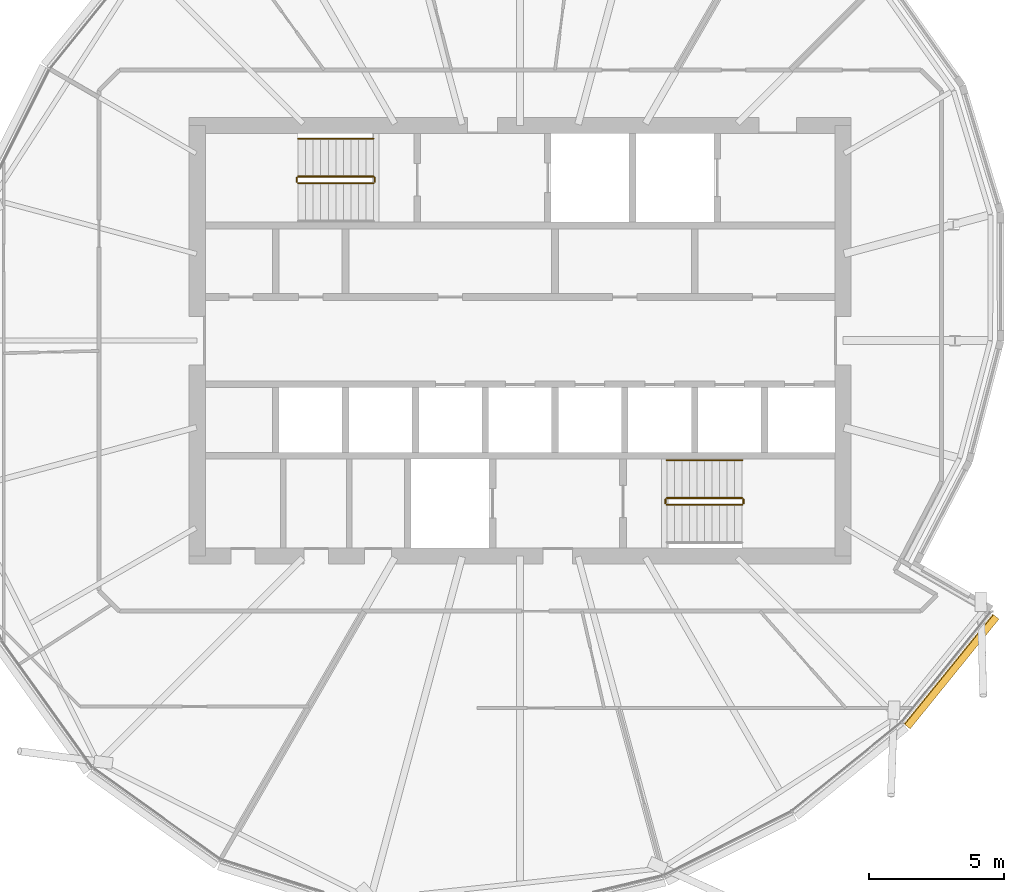
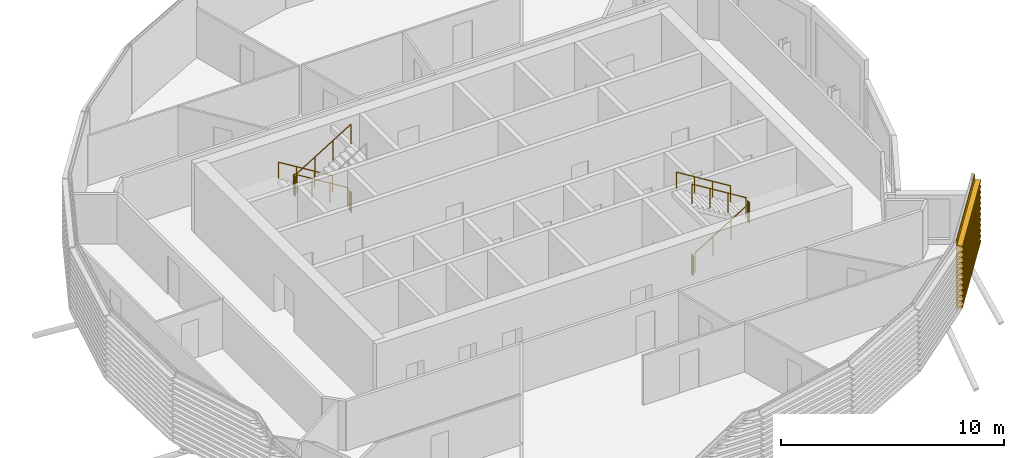
# One storey, part 36 of 37: 10 railings, 1 covering.
"""IFC4 building model written with IfcOpenShell, lengths in metres."""

from ifc_helpers import new_model, si_unit, direction, frame, origin, origin_2d, place, context, subcontext, project, spatial, polyline, circle, outline, extrude, material, material_profile, profile_set, type_object, element, save


model = new_model("IFC4")

# Units and contexts
model_context = context("Model", 3, precision=1e-05, world=origin(), true_north=direction((0.0, 1.0)))
body_context = subcontext(model_context, "Body", "Model", "MODEL_VIEW")
ifc_project = project(units=[si_unit("LENGTHUNIT", "METRE"), si_unit("AREAUNIT", "SQUARE_METRE"), si_unit("VOLUMEUNIT", "CUBIC_METRE"), si_unit("PLANEANGLEUNIT", "RADIAN"), si_unit("MASSUNIT", "GRAM", prefix="KILO")], contexts=[model_context])

# Site, building, storey
site_placement = place(None, origin())
site = spatial("IfcSite", under=ifc_project, at=site_placement, CompositionType="ELEMENT")
building_placement = place(site_placement, origin())
building = spatial("IfcBuilding", under=site, at=building_placement, Name="Rimbun Link Towers", CompositionType="ELEMENT")
storey_placement = place(building_placement, frame((0.0, 0.0, 166.5)))
storey = spatial("IfcBuildingStorey", under=building, at=storey_placement, Name="L40", CompositionType="ELEMENT", Elevation=166.5)

# Railings
ifc_material_1 = material(Name="Stainless steel grade 316", Category="steel")
railing_type_1 = type_object("IfcRailingType", Name="Stair guard", PredefinedType="GUARDRAIL", material=ifc_material_1)
railing_1_placement = place(storey_placement, frame((26.300048828125, 6.10009765625, 0.172607421875)))
element("IfcRailing", 1, at=railing_1_placement, inside=storey, type_object=railing_type_1, Name="L40 ST3 stair guard 1", PredefinedType="GUARDRAIL", context=body_context, shape_type="SweptSolid", body=[
    extrude(circle(Radius=0.02392578125, at=origin_2d()), frame((0.0, 0.0, 1.076171875), z_axis=(-0.851089632645, 0.0, 0.525020415988), x_axis=(0.0, -1.0, 0.0)), (0.0, 0.0, 1.0), 3.2900390625),
    extrude(circle(Radius=0.02099609375, at=origin_2d()), origin(), (0.0, 0.0, 1.0), 1.052001953125),
    extrude(circle(Radius=0.02099609375, at=origin_2d()), frame((-0.933349609375, 0.0, 0.57568359375)), (0.0, 0.0, 1.0), 1.052001953125),
    extrude(circle(Radius=0.02099609375, at=origin_2d()), frame((-1.86669921875, 0.0, 1.151611328125)), (0.0, 0.0, 1.0), 1.052001953125),
    extrude(circle(Radius=0.02099609375, at=origin_2d()), frame((-2.800048828125, 0.0, 1.727294921875)), (0.0, 0.0, 1.0), 1.052001953125),
])
railing_2_placement = place(storey_placement, frame((23.449951171875, 6.050048828125, 1.89990234375)))
element("IfcRailing", 2, at=railing_2_placement, inside=storey, type_object=railing_type_1, Name="L40 ST3 stair guard 2", PredefinedType="GUARDRAIL", context=body_context, shape_type="SweptSolid", body=[
    extrude(circle(Radius=0.02392578125, at=origin_2d()), frame((0.0, 0.0, 1.076171875), z_axis=(0.0, -1.0, 0.0), x_axis=(1.0, 0.0, 0.0)), (0.0, 0.0, 1.0), 0.150146484375),
    extrude(circle(Radius=0.02099609375, at=origin_2d()), origin(), (0.0, 0.0, 1.0), 1.052001953125),
    extrude(circle(Radius=0.02099609375, at=origin_2d()), frame((0.0, -0.150146484375, 0.0)), (0.0, 0.0, 1.0), 1.052001953125),
])
railing_3_placement = place(storey_placement, frame((23.5, 5.85009765625, 2.07275390625)))
element("IfcRailing", 3, at=railing_3_placement, inside=storey, type_object=railing_type_1, Name="L40 ST3 stair guard 3", PredefinedType="GUARDRAIL", context=body_context, shape_type="SweptSolid", body=[
    extrude(circle(Radius=0.02392578125, at=origin_2d()), frame((0.0, 0.0, 1.076171875), z_axis=(0.851089632645, 0.0, 0.525020415988), x_axis=(0.0, 1.0, 0.0)), (0.0, 0.0, 1.0), 3.2900390625),
    extrude(circle(Radius=0.02099609375, at=origin_2d()), origin(), (0.0, 0.0, 1.0), 1.052001953125),
    extrude(circle(Radius=0.02099609375, at=origin_2d()), frame((0.933349609375, 0.0, 0.57568359375)), (0.0, 0.0, 1.0), 1.052001953125),
    extrude(circle(Radius=0.02099609375, at=origin_2d()), frame((1.86669921875, 0.0, 1.151611328125)), (0.0, 0.0, 1.0), 1.052001953125),
    extrude(circle(Radius=0.02099609375, at=origin_2d()), frame((2.800048828125, 0.0, 1.727294921875)), (0.0, 0.0, 1.0), 1.052001953125),
])
railing_4_placement = place(storey_placement, frame((26.35009765625, 6.050048828125, 0.0)))
element("IfcRailing", 4, at=railing_4_placement, inside=storey, type_object=railing_type_1, Name="L40 ST3 stair guard 4", PredefinedType="GUARDRAIL", context=body_context, shape_type="SweptSolid", body=[
    extrude(circle(Radius=0.02392578125, at=origin_2d()), frame((0.0, 0.0, 1.076171875), z_axis=(0.0, -1.0, 0.0), x_axis=(1.0, 0.0, 0.0)), (0.0, 0.0, 1.0), 0.150146484375),
    extrude(circle(Radius=0.02099609375, at=origin_2d()), origin(), (0.0, 0.0, 1.0), 1.052001953125),
    extrude(circle(Radius=0.02099609375, at=origin_2d()), frame((0.0, -0.150146484375, 0.0)), (0.0, 0.0, 1.0), 1.052001953125),
])
railing_5_placement = place(storey_placement, frame((37.199951171875, -6.10009765625, 0.172607421875)))
element("IfcRailing", 5, at=railing_5_placement, inside=storey, type_object=railing_type_1, Name="L40 ST4 stair guard 1", PredefinedType="GUARDRAIL", context=body_context, shape_type="SweptSolid", body=[
    extrude(circle(Radius=0.02392578125, at=origin_2d()), frame((0.0, 0.0, 1.076171875), z_axis=(0.851089632645, 0.0, 0.525020415988), x_axis=(0.0, 1.0, 0.0)), (0.0, 0.0, 1.0), 3.2900390625),
    extrude(circle(Radius=0.02099609375, at=origin_2d()), origin(), (0.0, 0.0, 1.0), 1.052001953125),
    extrude(circle(Radius=0.02099609375, at=origin_2d()), frame((0.933349609375, 0.0, 0.57568359375)), (0.0, 0.0, 1.0), 1.052001953125),
    extrude(circle(Radius=0.02099609375, at=origin_2d()), frame((1.86669921875, 0.0, 1.151611328125)), (0.0, 0.0, 1.0), 1.052001953125),
    extrude(circle(Radius=0.02099609375, at=origin_2d()), frame((2.800048828125, 0.0, 1.727294921875)), (0.0, 0.0, 1.0), 1.052001953125),
])
railing_6_placement = place(storey_placement, frame((40.050048828125, -6.050048828125, 1.89990234375)))
element("IfcRailing", 6, at=railing_6_placement, inside=storey, type_object=railing_type_1, Name="L40 ST4 stair guard 2", PredefinedType="GUARDRAIL", context=body_context, shape_type="SweptSolid", body=[
    extrude(circle(Radius=0.02392578125, at=origin_2d()), frame((0.0, 0.0, 1.076171875), z_axis=(0.0, 1.0, 0.0), x_axis=(-1.0, 0.0, 0.0)), (0.0, 0.0, 1.0), 0.150146484375),
    extrude(circle(Radius=0.02099609375, at=origin_2d()), origin(), (0.0, 0.0, 1.0), 1.052001953125),
    extrude(circle(Radius=0.02099609375, at=origin_2d()), frame((0.0, 0.150146484375, 0.0)), (0.0, 0.0, 1.0), 1.052001953125),
])
railing_7_placement = place(storey_placement, frame((40.0, -5.85009765625, 2.07275390625)))
element("IfcRailing", 7, at=railing_7_placement, inside=storey, type_object=railing_type_1, Name="L40 ST4 stair guard 3", PredefinedType="GUARDRAIL", context=body_context, shape_type="SweptSolid", body=[
    extrude(circle(Radius=0.02392578125, at=origin_2d()), frame((0.0, 0.0, 1.076171875), z_axis=(-0.851089632645, 0.0, 0.525020415988), x_axis=(0.0, -1.0, 0.0)), (0.0, 0.0, 1.0), 3.2900390625),
    extrude(circle(Radius=0.02099609375, at=origin_2d()), origin(), (0.0, 0.0, 1.0), 1.052001953125),
    extrude(circle(Radius=0.02099609375, at=origin_2d()), frame((-0.933349609375, 0.0, 0.57568359375)), (0.0, 0.0, 1.0), 1.052001953125),
    extrude(circle(Radius=0.02099609375, at=origin_2d()), frame((-1.86669921875, 0.0, 1.151611328125)), (0.0, 0.0, 1.0), 1.052001953125),
    extrude(circle(Radius=0.02099609375, at=origin_2d()), frame((-2.800048828125, 0.0, 1.727294921875)), (0.0, 0.0, 1.0), 1.052001953125),
])
railing_8_placement = place(storey_placement, frame((37.14990234375, -6.050048828125, 0.0)))
element("IfcRailing", 8, at=railing_8_placement, inside=storey, type_object=railing_type_1, Name="L40 ST4 stair guard 4", PredefinedType="GUARDRAIL", context=body_context, shape_type="SweptSolid", body=[
    extrude(circle(Radius=0.02392578125, at=origin_2d()), frame((0.0, 0.0, 1.076171875), z_axis=(0.0, 1.0, 0.0), x_axis=(-1.0, 0.0, 0.0)), (0.0, 0.0, 1.0), 0.150146484375),
    extrude(circle(Radius=0.02099609375, at=origin_2d()), origin(), (0.0, 0.0, 1.0), 1.052001953125),
    extrude(circle(Radius=0.02099609375, at=origin_2d()), frame((0.0, 0.150146484375, 0.0)), (0.0, 0.0, 1.0), 1.052001953125),
])
ifc_material_2 = material(Name="Stainless steel grade 316", Category="steel")
railing_type_2 = type_object("IfcRailingType", Name="Stair handrail", PredefinedType="HANDRAIL", material=ifc_material_2)
for number, where, name in (
    (9, (26.300048828125, 7.5, 0.172607421875), "L40 ST3 stair handrail 1"),
    (10, (40.0, -4.449951171875, 2.07275390625), "L40 ST4 stair handrail 2"),
):
    element("IfcRailing", number, at=place(storey_placement, frame(where)), inside=storey, type_object=railing_type_2, Name=name, PredefinedType="HANDRAIL", context=body_context, shape_type="SweptSolid", body=[
        extrude(circle(Radius=0.02392578125, at=origin_2d()), frame((0.0, 0.0, 0.8759765625), z_axis=(-0.851089632645, 0.0, 0.525020415988), x_axis=(0.0, -1.0, 0.0)), (0.0, 0.0, 1.0), 3.2900390625),
        extrude(circle(Radius=0.02099609375, at=origin_2d()), origin(), (0.0, 0.0, 1.0), 0.851806640625),
        extrude(circle(Radius=0.02099609375, at=origin_2d()), frame((-0.933349609375, 0.0, 0.57568359375)), (0.0, 0.0, 1.0), 0.851806640625),
        extrude(circle(Radius=0.02099609375, at=origin_2d()), frame((-1.86669921875, 0.0, 1.151611328125)), (0.0, 0.0, 1.0), 0.851806640625),
        extrude(circle(Radius=0.02099609375, at=origin_2d()), frame((-2.800048828125, 0.0, 1.727294921875)), (0.0, 0.0, 1.0), 0.851806640625),
    ])

# Covering
ifc_material_3 = material(Name="Terracotta", Category="masonry")
ifc_material_profile = material_profile(ifc_material_3, outline(polyline([(0.123046875, 0.0), (0.1630859375, 0.0), (0.1630859375, 0.10009765625), (0.423095703125, 0.10009765625), (0.423095703125, 0.219970703125), (0.1630859375, 0.219970703125), (0.1630859375, 0.39990234375), (0.423095703125, 0.39990234375), (0.423095703125, 0.52001953125), (0.1630859375, 0.52001953125), (0.1630859375, 0.699951171875), (0.423095703125, 0.699951171875), (0.423095703125, 0.820068359375), (0.1630859375, 0.820068359375), (0.1630859375, 1.0), (0.423095703125, 1.0), (0.423095703125, 1.1201171875), (0.1630859375, 1.1201171875), (0.1630859375, 1.300048828125), (0.423095703125, 1.300048828125), (0.423095703125, 1.419921875), (0.1630859375, 1.419921875), (0.1630859375, 1.60009765625), (0.423095703125, 1.60009765625), (0.423095703125, 1.719970703125), (0.1630859375, 1.719970703125), (0.1630859375, 1.89990234375), (0.423095703125, 1.89990234375), (0.423095703125, 2.02001953125), (0.1630859375, 2.02001953125), (0.1630859375, 2.199951171875), (0.423095703125, 2.199951171875), (0.423095703125, 2.320068359375), (0.1630859375, 2.320068359375), (0.1630859375, 2.5), (0.423095703125, 2.5), (0.423095703125, 2.6201171875), (0.1630859375, 2.6201171875), (0.1630859375, 2.800048828125), (0.423095703125, 2.800048828125), (0.423095703125, 2.919921875), (0.1630859375, 2.919921875), (0.1630859375, 3.10009765625), (0.423095703125, 3.10009765625), (0.423095703125, 3.219970703125), (0.1630859375, 3.219970703125), (0.1630859375, 3.39990234375), (0.423095703125, 3.39990234375), (0.423095703125, 3.52001953125), (0.1630859375, 3.52001953125), (0.1630859375, 3.800048828125), (0.123046875, 3.800048828125), (0.123046875, 0.0)])), Name="BAGUETTE 120X300")
ifc_profile_set = profile_set([ifc_material_profile], Name="Terracotta")
covering_type = type_object("IfcCoveringType", Name="TERRACOTTA BAGUETTE 120X300 H3800", PredefinedType="CLADDING", material=ifc_profile_set)
covering_placement = place(storey_placement, frame((49.21728515625, -10.084716796875, 0.0), z_axis=(-0.629148722287, -0.777284944692, 0.0), x_axis=(0.777284944692, -0.629148722287, 0.0)))
element("IfcCovering", 11, at=covering_placement, inside=storey, type_object=covering_type, Name="TERRACOTTA BAGUETTE", PredefinedType="CLADDING", context=body_context, shape_type="SweptSolid", body=[
    extrude(outline(polyline([(0.123046875, 0.0), (0.1630859375, 0.0), (0.1630859375, 0.10009765625), (0.423095703125, 0.10009765625), (0.423095703125, 0.219970703125), (0.1630859375, 0.219970703125), (0.1630859375, 0.39990234375), (0.423095703125, 0.39990234375), (0.423095703125, 0.52001953125), (0.1630859375, 0.52001953125), (0.1630859375, 0.699951171875), (0.423095703125, 0.699951171875), (0.423095703125, 0.820068359375), (0.1630859375, 0.820068359375), (0.1630859375, 1.0), (0.423095703125, 1.0), (0.423095703125, 1.1201171875), (0.1630859375, 1.1201171875), (0.1630859375, 1.300048828125), (0.423095703125, 1.300048828125), (0.423095703125, 1.419921875), (0.1630859375, 1.419921875), (0.1630859375, 1.60009765625), (0.423095703125, 1.60009765625), (0.423095703125, 1.719970703125), (0.1630859375, 1.719970703125), (0.1630859375, 1.89990234375), (0.423095703125, 1.89990234375), (0.423095703125, 2.02001953125), (0.1630859375, 2.02001953125), (0.1630859375, 2.199951171875), (0.423095703125, 2.199951171875), (0.423095703125, 2.320068359375), (0.1630859375, 2.320068359375), (0.1630859375, 2.5), (0.423095703125, 2.5), (0.423095703125, 2.6201171875), (0.1630859375, 2.6201171875), (0.1630859375, 2.800048828125), (0.423095703125, 2.800048828125), (0.423095703125, 2.919921875), (0.1630859375, 2.919921875), (0.1630859375, 3.10009765625), (0.423095703125, 3.10009765625), (0.423095703125, 3.219970703125), (0.1630859375, 3.219970703125), (0.1630859375, 3.39990234375), (0.423095703125, 3.39990234375), (0.423095703125, 3.52001953125), (0.1630859375, 3.52001953125), (0.1630859375, 3.800048828125), (0.123046875, 3.800048828125), (0.123046875, 0.0)])), origin(), (0.0, 0.0, 1.0), 5.2490234375),
])

save(model, "model.ifc")
